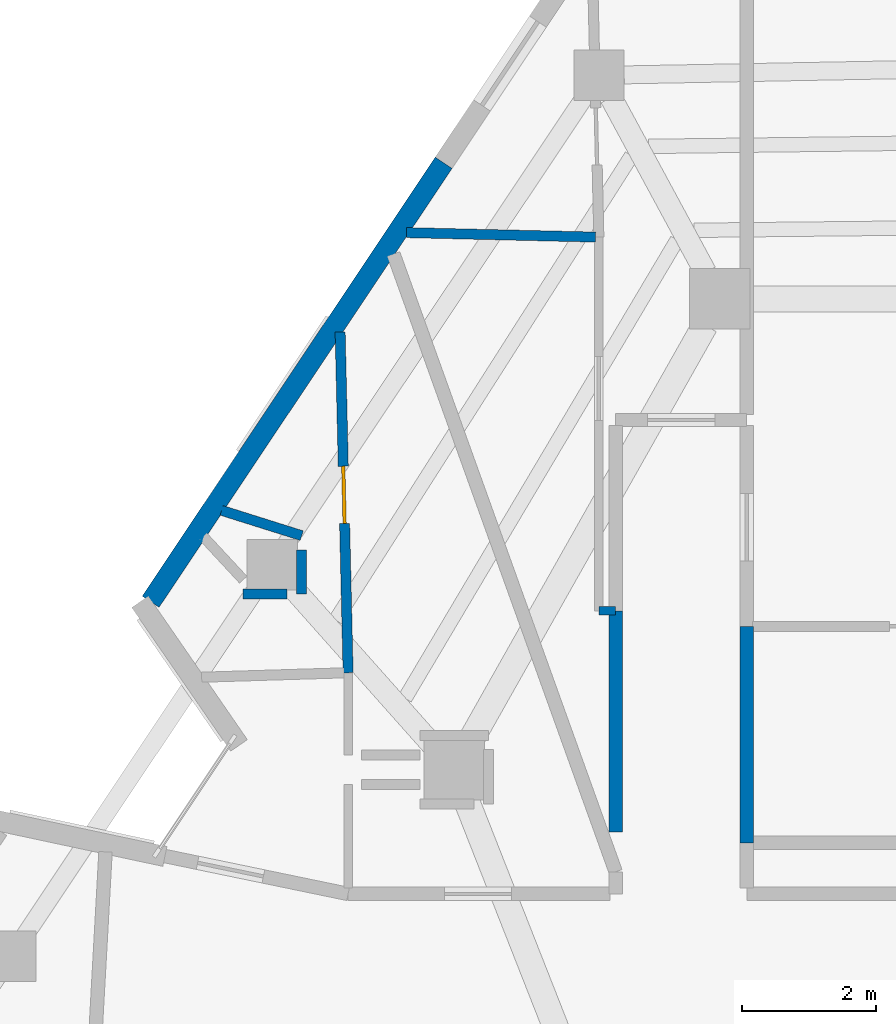
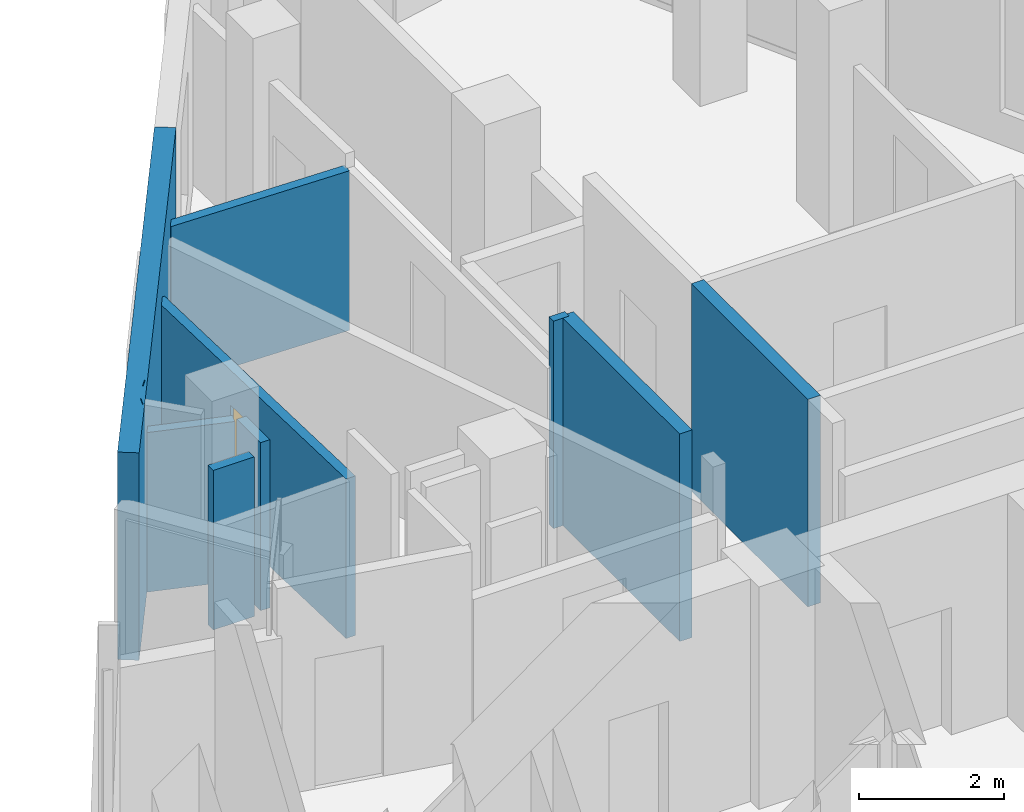
# One storey, part 7 of 10: 11 walls, 1 door, 1 opening.
"""IFC4 building model written with IfcOpenShell, lengths in metres."""

from ifc_helpers import new_model, si_unit, direction, frame, frame_2d, origin, place, context, subcontext, project, spatial, rectangle, extrude, material, layer, layer_set, type_object, element, fill, save


model = new_model("IFC4")

# Units and contexts
model_context = context("Model", 3, precision=1e-05, world=origin(), true_north=direction((0.0, 1.0)))
body_context = subcontext(model_context, "Body", "Model", "MODEL_VIEW")
ifc_project = project(units=[si_unit("LENGTHUNIT", "METRE"), si_unit("AREAUNIT", "SQUARE_METRE"), si_unit("VOLUMEUNIT", "CUBIC_METRE"), si_unit("PLANEANGLEUNIT", "RADIAN"), si_unit("MASSUNIT", "GRAM", prefix="KILO")], contexts=[model_context])

# Site, building, storey
site_placement = place(None, origin())
site = spatial("IfcSite", under=ifc_project, at=site_placement, CompositionType="ELEMENT")
building_placement = place(site_placement, origin())
building = spatial("IfcBuilding", under=site, at=building_placement, Name="Almagre Mirador Tower", CompositionType="ELEMENT")
storey_placement = place(building_placement, frame((0.0, 0.0, 278.25)))
storey = spatial("IfcBuildingStorey", under=building, at=storey_placement, Name="L72", CompositionType="ELEMENT", Elevation=278.25)

# Walls
ifc_material_1 = material(Name="Precast concrete C50/60", Category="concrete")
ifc_layer_1 = layer(ifc_material_1, 0.300048828125)
ifc_layer_set_1 = layer_set([ifc_layer_1], Name="Precast concrete C50/60")
wall_type_1 = type_object("IfcWallType", Name="WAL-EXT-300", PredefinedType="SOLIDWALL", material=ifc_layer_set_1)
wall_1_placement = place(storey_placement, frame((28.8828125, 21.696533203125, 0.0), z_axis=(0.0, 0.0, 1.0), x_axis=(0.555209579516, 0.831710480163, 0.0)))
element("IfcWall", 1, at=wall_1_placement, inside=storey, type_object=wall_type_1, Name="L72 expressed almagre precast frame wall 03", PredefinedType="SOLIDWALL", context=body_context, shape_type="SweptSolid", body=[
    extrude(rectangle(XDim=7.851318359375, YDim=0.300048828125, at=frame_2d((3.92578125, 0.0))), origin(), (0.0, 0.0, 1.0), 3.5),
])
ifc_material_2 = material(Name="Gypsum acoustic stud partition", Category="other")
ifc_layer_2 = layer(ifc_material_2, 0.125)
ifc_layer_set_2 = layer_set([ifc_layer_2], Name="Gypsum acoustic stud partition")
wall_type_2 = type_object("IfcWallType", Name="WAL-PRT-125-UTL", PredefinedType="PARTITIONING", material=ifc_layer_set_2)
wall_2_placement = place(storey_placement, frame((35.550048828125, 21.56005859375, 0.0), z_axis=(0.0, 0.0, 1.0), x_axis=(1.0, 0.0, 0.0)))
element("IfcWall", 2, at=wall_2_placement, inside=storey, type_object=wall_type_2, Name="L72 interior partition 044", PredefinedType="PARTITIONING", context=body_context, shape_type="SweptSolid", body=[
    extrude(rectangle(XDim=0.25, YDim=0.125, at=frame_2d((0.125, 0.0))), origin(), (0.0, 0.0, 1.0), 3.5),
])

# Wall, opening, door
ifc_material_3 = material(Name="Gypsum acoustic stud partition", Category="other")
ifc_layer_3 = layer(ifc_material_3, 0.14990234375)
ifc_layer_set_3 = layer_set([ifc_layer_3], Name="Gypsum acoustic stud partition")
wall_type_3 = type_object("IfcWallType", Name="WAL-PRT-150-STD", PredefinedType="PARTITIONING", material=ifc_layer_set_3)
wall_3_placement = place(storey_placement, frame((31.701904296875, 25.70703125, 0.0), z_axis=(0.0, 0.0, 1.0), x_axis=(0.023313343879, -0.999728207063, 0.0)))
wall_3 = element("IfcWall", 3, at=wall_3_placement, inside=storey, type_object=wall_type_3, Name="L72 interior partition 038", PredefinedType="PARTITIONING", context=body_context, shape_type="SweptSolid", body=[
    extrude(rectangle(XDim=5.068603515625, YDim=0.14990234375, at=frame_2d((2.5341796875, 0.0))), origin(), (0.0, 0.0, 1.0), 2.69091796875),
])
opening_placement = place(wall_3_placement, frame((1.995361328125, 0.0, 0.0)))
opening = element("IfcOpeningElement", 4, at=opening_placement, cuts=wall_3, Name="Opening UD-04", PredefinedType="OPENING", context=body_context, shape_type="SweptSolid", body=[
    extrude(rectangle(XDim=0.85009765625, YDim=2.10009765625, at=frame_2d((0.425048828125, 1.050048828125))), frame((0.0, 0.084951, 0.0), z_axis=(0.0, -1.0, 0.0), x_axis=(1.0, 0.0, 0.0)), (0.0, 0.0, 1.0), 0.169902),
])
ifc_material_4 = material(Name="Moisture-resistant oak timber", Category="wood")
door_type = type_object("IfcDoorType", Name="DOR-UNR-850X2100", OperationType="NOTDEFINED", PredefinedType="DOOR", material=ifc_material_4)
door_placement = place(opening_placement, origin())
door = element("IfcDoor", 5, at=door_placement, inside=storey, type_object=door_type, Name="DR-2173 L72 interior door L72-UF-ST to L72-UF-BT", OperationType="SINGLE_SWING_RIGHT", OverallHeight=2.10009765625, OverallWidth=0.85009765625, PredefinedType="DOOR", context=body_context, shape_type="SweptSolid", body=[
    extrude(rectangle(XDim=0.85009765625, YDim=2.10009765625, at=frame_2d((0.425048828125, 1.050048828125))), frame((0.0, 0.02490234375, 0.0), z_axis=(0.0, -1.0, 0.0), x_axis=(1.0, 0.0, 0.0)), (0.0, 0.0, 1.0), 0.050048828125),
])
fill(opening, door)

# Walls
wall_4_placement = place(storey_placement, frame((35.50244140625, 27.120849609375, 0.0), z_axis=(0.0, 0.0, 1.0), x_axis=(-0.999723418313, 0.023517799163, 0.0)))
element("IfcWall", 6, at=wall_4_placement, inside=storey, type_object=wall_type_3, Name="L72 interior partition 048", PredefinedType="PARTITIONING", context=body_context, shape_type="SweptSolid", body=[
    extrude(rectangle(XDim=2.813232421875, YDim=0.14990234375, at=frame_2d((1.40673828125, 0.0))), origin(), (0.0, 0.0, 1.0), 2.69091796875),
])
wall_5_placement = place(storey_placement, frame((29.90087890625, 23.041015625, 0.0), z_axis=(0.0, 0.0, 1.0), x_axis=(0.757409961601, -0.652939622069, 0.0)))
element("IfcWall", 7, at=wall_5_placement, inside=storey, type_object=wall_type_3, Name="L72 interior partition 059", PredefinedType="PARTITIONING", context=body_context, shape_type="SweptSolid", body=[
    extrude(rectangle(XDim=0.00927734375, YDim=0.14990234375, at=frame_2d((0.004638671875, 0.0))), origin(), (0.0, 0.0, 1.0), 3.5),
])
wall_6_placement = place(storey_placement, frame((29.93896484375, 23.054931640625, 0.0), z_axis=(0.0, 0.0, 1.0), x_axis=(0.953830579819, -0.300345176425, 0.0)))
element("IfcWall", 8, at=wall_6_placement, inside=storey, type_object=wall_type_3, Name="L72 interior partition 060", PredefinedType="PARTITIONING", context=body_context, shape_type="SweptSolid", body=[
    extrude(rectangle(XDim=1.24853515625, YDim=0.14990234375, at=frame_2d((0.624267578125, 0.0))), origin(), (0.0, 0.0, 1.0), 2.69091796875),
])
wall_7_placement = place(storey_placement, frame((31.1298828125, 22.465087890625, 0.0), z_axis=(0.0, 0.0, 1.0), x_axis=(0.0, -1.0, 0.0)))
element("IfcWall", 9, at=wall_7_placement, inside=storey, type_object=wall_type_3, Name="L72 interior partition 061", PredefinedType="PARTITIONING", context=body_context, shape_type="SweptSolid", body=[
    extrude(rectangle(XDim=0.655029296875, YDim=0.14990234375, at=frame_2d((0.32763671875, 0.0))), origin(), (0.0, 0.0, 1.0), 2.8349609375),
])
wall_8_placement = place(storey_placement, frame((30.9150390625, 21.81005859375, 0.0), z_axis=(0.0, 0.0, 1.0), x_axis=(-1.0, 0.0, 0.0)))
element("IfcWall", 10, at=wall_8_placement, inside=storey, type_object=wall_type_3, Name="L72 interior partition 062", PredefinedType="PARTITIONING", context=body_context, shape_type="SweptSolid", body=[
    extrude(rectangle(XDim=0.655029296875, YDim=0.14990234375, at=frame_2d((0.32763671875, 0.0))), origin(), (0.0, 0.0, 1.0), 2.69091796875),
])
wall_9_placement = place(storey_placement, frame((29.6630859375, 22.66796875, 0.0), z_axis=(0.0, 0.0, 1.0), x_axis=(-0.951222818949, 0.308504698037, 0.0)))
element("IfcWall", 11, at=wall_9_placement, inside=storey, type_object=wall_type_3, Name="L72 interior partition 064", PredefinedType="PARTITIONING", context=body_context, shape_type="SweptSolid", body=[
    extrude(rectangle(XDim=0.009521484375, YDim=0.14990234375, at=frame_2d((0.0048828125, 0.0))), origin(), (0.0, 0.0, 1.0), 3.5),
])
ifc_material_5 = material(Name="Gypsum acoustic stud partition", Category="other")
ifc_layer_4 = layer(ifc_material_5, 0.199951171875)
ifc_layer_set_4 = layer_set([ifc_layer_4], Name="Gypsum acoustic stud partition")
wall_type_4 = type_object("IfcWallType", Name="WAL-PRT-200-EI60", PredefinedType="PARTITIONING", material=ifc_layer_set_4)
wall_10_placement = place(storey_placement, frame((35.800048828125, 21.56005859375, 0.0), z_axis=(0.0, 0.0, 1.0), x_axis=(0.0, -1.0, 0.0)))
element("IfcWall", 12, at=wall_10_placement, inside=storey, type_object=wall_type_4, Name="L72 interior partition 011", PredefinedType="PARTITIONING", context=body_context, shape_type="SweptSolid", body=[
    extrude(rectangle(XDim=3.287109375, YDim=0.199951171875, at=frame_2d((1.6435546875, 0.0))), origin(), (0.0, 0.0, 1.0), 3.5),
])
wall_11_placement = place(storey_placement, frame((37.75, 18.110107421875, 0.0), z_axis=(0.0, 0.0, 1.0), x_axis=(0.0, 1.0, 0.0)))
element("IfcWall", 13, at=wall_11_placement, inside=storey, type_object=wall_type_4, Name="L72 interior partition 013", PredefinedType="PARTITIONING", context=body_context, shape_type="SweptSolid", body=[
    extrude(rectangle(XDim=3.219970703125, YDim=0.199951171875, at=frame_2d((1.60986328125, 0.0))), origin(), (0.0, 0.0, 1.0), 3.5),
])

save(model, "model.ifc")
